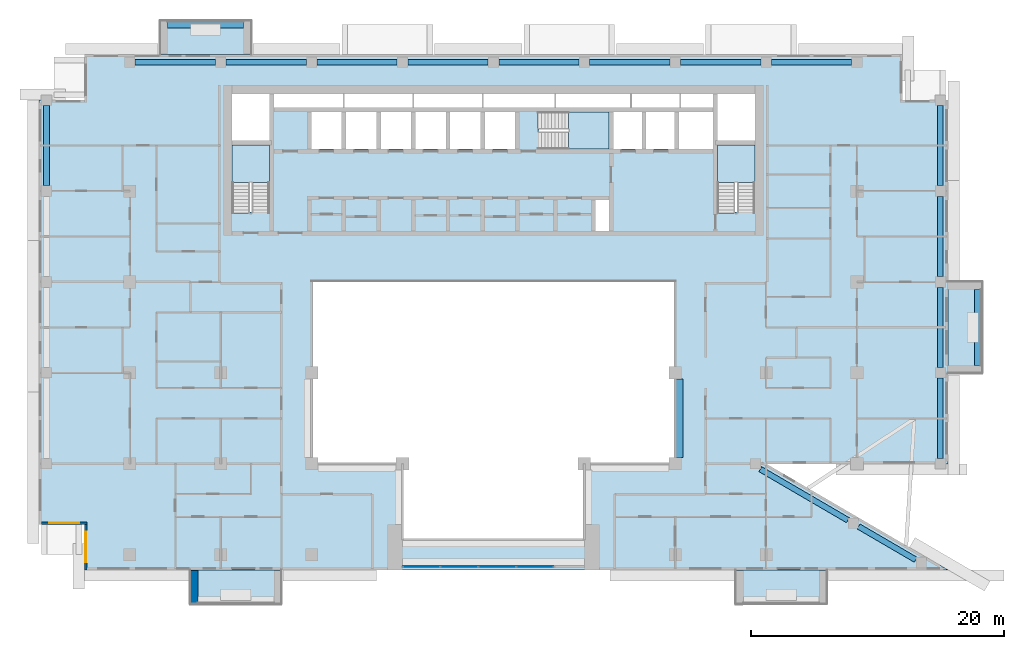
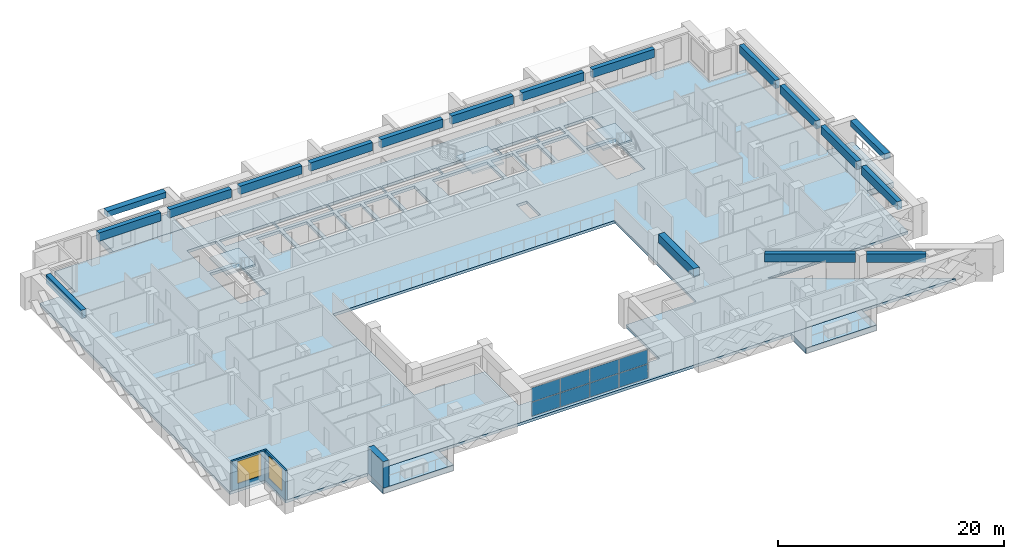
# One storey, part 5 of 20: 18 beams, 8 plates, 8 slabs, 3 walls, 2 windows, 2 openings, 4 elements without a shape of their own.
"""IFC4 building model written with IfcOpenShell, lengths in metres."""

from ifc_helpers import new_model, si_unit, direction, frame, frame_2d, origin, origin_2d, place, context, subcontext, project, spatial, polyline, rectangle, outline, extrude, source, transform, mapped, material, layer, layer_set, material_profile, profile_set, type_object, element, fill, aggregate, save


model = new_model("IFC4")

# Units and contexts
model_context = context("Model", 3, precision=1e-05, world=origin(), true_north=direction((0.0, 1.0)))
body_context = subcontext(model_context, "Body", "Model", "MODEL_VIEW")
ifc_project = project(units=[si_unit("LENGTHUNIT", "METRE"), si_unit("AREAUNIT", "SQUARE_METRE"), si_unit("VOLUMEUNIT", "CUBIC_METRE"), si_unit("PLANEANGLEUNIT", "RADIAN"), si_unit("MASSUNIT", "GRAM", prefix="KILO")], contexts=[model_context])

# Site, building, storey
site_placement = place(None, origin())
site = spatial("IfcSite", under=ifc_project, at=site_placement, CompositionType="ELEMENT")
building_placement = place(site_placement, origin())
building = spatial("IfcBuilding", under=site, at=building_placement, Name="Saffron Iwan Residences", CompositionType="ELEMENT")
storey_placement = place(building_placement, frame((0.0, 0.0, 146.5)))
storey = spatial("IfcBuildingStorey", under=building, at=storey_placement, Name="L38", CompositionType="ELEMENT", Elevation=146.5)

# Beams
ifc_material_1 = material(Name="Concrete C50/60", Category="concrete")
ifc_material_profile_1 = material_profile(ifc_material_1, rectangle(XDim=0.449951171875, YDim=0.89990234375, at=origin_2d()), Name="RC 450x900")
ifc_profile_set_1 = profile_set([ifc_material_profile_1], Name="Concrete C50/60")
beam_type_1 = type_object("IfcBeamType", Name="SPANDREL BEAM RC 450x900 C50/60 TOP 3200", PredefinedType="SPANDREL", material=ifc_profile_set_1)
shared_shape_1 = source(origin(), body_context, "Body", "SweptSolid", [
    extrude(rectangle(XDim=0.449951171875, YDim=0.89990234375, at=origin_2d()), origin(), (0.0, 0.0, 1.0), 5.24267578125),
])
beam_1_placement = place(storey_placement, frame((79.32275390625, 43.03369140625, 2.75), z_axis=(0.863783967805, -0.503862339299, 0.0), x_axis=(0.503862339299, 0.863783967805, 0.0)))
element("IfcBeam", 1, at=beam_1_placement, inside=storey, type_object=beam_type_1, Name="Spandrel beam", PredefinedType="SPANDREL", context=body_context, shape_type="MappedRepresentation", body=[
    mapped(shared_shape_1, transform((0.0, 0.0, 0.0))),
])
shared_shape_2 = source(origin(), body_context, "Body", "SweptSolid", [
    extrude(rectangle(XDim=0.449951171875, YDim=0.89990234375, at=origin_2d()), origin(), (0.0, 0.0, 1.0), 8.028564453125),
])
beam_2_placement = place(storey_placement, frame((71.537841796875, 47.574951171875, 2.75), z_axis=(0.863773386225, -0.503880479132, 0.0), x_axis=(0.503880479132, 0.863773386225, 0.0)))
element("IfcBeam", 2, at=beam_2_placement, inside=storey, type_object=beam_type_1, Name="Spandrel beam", PredefinedType="SPANDREL", context=body_context, shape_type="MappedRepresentation", body=[
    mapped(shared_shape_2, transform((0.0, 0.0, 0.0))),
])
shared_shape_3 = source(origin(), body_context, "Body", "SweptSolid", [
    extrude(rectangle(XDim=0.449951171875, YDim=0.89990234375, at=origin_2d()), origin(), (0.0, 0.0, 1.0), 6.349853515625),
])
for number, where, z_axis, x_axis, name in (
    (3, (85.800048828125, 54.77490234375, 2.75), (0.0, -1.0, 0.0), (1.0, 0.0, 0.0), "Spandrel beam"),
    (4, (29.22509765625, 79.800048828125, 2.75), (1.0, 0.0, 0.0), (0.0, 1.0, 0.0), "Spandrel beam"),
    (5, (36.425048828125, 79.800048828125, 2.75), (1.0, 0.0, 0.0), (0.0, 1.0, 0.0), "Spandrel beam"),
    (6, (65.22509765625, 79.800048828125, 2.75), (1.0, 0.0, 0.0), (0.0, 1.0, 0.0), "Spandrel beam"),
    (7, (72.425048828125, 79.800048828125, 2.75), (1.0, 0.0, 0.0), (0.0, 1.0, 0.0), "Spandrel beam"),
):
    element("IfcBeam", number, at=place(storey_placement, frame(where, z_axis=z_axis, x_axis=x_axis)), inside=storey, type_object=beam_type_1, Name=name, PredefinedType="SPANDREL", context=body_context, shape_type="MappedRepresentation", body=[
        mapped(shared_shape_3, transform((0.0, 0.0, 0.0))),
    ])
shared_shape_4 = source(origin(), body_context, "Body", "SweptSolid", [
    extrude(rectangle(XDim=0.449951171875, YDim=0.89990234375, at=origin_2d()), origin(), (0.0, 0.0, 1.0), 6.35009765625),
])
for number, where, z_axis, x_axis, name in (
    (8, (85.800048828125, 61.97509765625, 2.75), (0.0, -1.0, 0.0), (1.0, 0.0, 0.0), "Spandrel beam"),
    (9, (85.800048828125, 69.175048828125, 2.75), (0.0, -1.0, 0.0), (1.0, 0.0, 0.0), "Spandrel beam"),
    (10, (15.0, 70.02490234375, 2.75), (0.0, 1.0, 0.0), (-1.0, 0.0, 0.0), "Spandrel beam"),
    (11, (85.800048828125, 76.375, 2.75), (0.0, -1.0, 0.0), (1.0, 0.0, 0.0), "Spandrel beam"),
    (12, (22.02490234375, 79.800048828125, 2.75), (1.0, 0.0, 0.0), (0.0, 1.0, 0.0), "Spandrel beam"),
    (13, (43.625, 79.800048828125, 2.75), (1.0, 0.0, 0.0), (0.0, 1.0, 0.0), "Spandrel beam"),
    (14, (50.824951171875, 79.800048828125, 2.75), (1.0, 0.0, 0.0), (0.0, 1.0, 0.0), "Spandrel beam"),
    (15, (58.02490234375, 79.800048828125, 2.75), (1.0, 0.0, 0.0), (0.0, 1.0, 0.0), "Spandrel beam"),
):
    element("IfcBeam", number, at=place(storey_placement, frame(where, z_axis=z_axis, x_axis=x_axis)), inside=storey, type_object=beam_type_1, Name=name, PredefinedType="SPANDREL", context=body_context, shape_type="MappedRepresentation", body=[
        mapped(shared_shape_4, transform((0.0, 0.0, 0.0))),
    ])
ifc_material_profile_2 = material_profile(ifc_material_1, rectangle(XDim=0.60009765625, YDim=0.89990234375, at=origin_2d()), Name="RC 600x900")
ifc_profile_set_2 = profile_set([ifc_material_profile_2], Name="Concrete C50/60")
beam_type_2 = type_object("IfcBeamType", Name="BEAM RC 600x900 C50/60 TOP 3200", PredefinedType="BEAM", material=ifc_profile_set_2)
shared_shape_5 = source(origin(), body_context, "Body", "SweptSolid", [
    extrude(rectangle(XDim=0.60009765625, YDim=0.89990234375, at=origin_2d()), origin(), (0.0, 0.0, 1.0), 6.199951171875),
])
beam_3_placement = place(storey_placement, frame((65.10009765625, 54.699951171875, 2.75), z_axis=(0.0, -1.0, 0.0), x_axis=(1.0, 0.0, 0.0)))
element("IfcBeam", 16, at=beam_3_placement, inside=storey, type_object=beam_type_2, Name="Atrium edge beam", PredefinedType="BEAM", context=body_context, shape_type="MappedRepresentation", body=[
    mapped(shared_shape_5, transform((0.0, 0.0, 0.0))),
])
ifc_material_2 = material(Name="Concrete C50/60 white painted", Category="concrete")
ifc_material_profile_3 = material_profile(ifc_material_2, rectangle(XDim=0.60009765625, YDim=0.60009765625, at=origin_2d()), Name="BALCONY FASCIA BEAM 600 x 600")
ifc_profile_set_3 = profile_set([ifc_material_profile_3], Name="Concrete C50/60 white painted")
beam_type_3 = type_object("IfcBeamType", Name="BALCONY FASCIA BEAM 600 x 600", PredefinedType="BEAM", material=ifc_profile_set_3)
shared_shape_6 = source(origin(), body_context, "Body", "SweptSolid", [
    extrude(rectangle(XDim=0.60009765625, YDim=0.60009765625, at=origin_2d()), origin(), (0.0, 0.0, 1.0), 6.0),
])
for number, where, z_axis, x_axis, name in (
    (17, (88.800048828125, 55.800048828125, 2.550048828125), (0.0, 1.0, 0.0), (-1.0, 0.0, 0.0), "Balcony fascia beam L38 F2-0"),
    (18, (30.60009765625, 82.800048828125, 2.550048828125), (-1.0, 0.0, 0.0), (0.0, -1.0, 0.0), "Balcony fascia beam L38 F5-3"),
):
    element("IfcBeam", number, at=place(storey_placement, frame(where, z_axis=z_axis, x_axis=x_axis)), inside=storey, type_object=beam_type_3, Name=name, PredefinedType="BEAM", context=body_context, shape_type="MappedRepresentation", body=[
        mapped(shared_shape_6, transform((0.0, 0.0, 0.0))),
    ])

# Slabs
ifc_layer_1 = layer(ifc_material_2, 0.60009765625)
ifc_layer_set_1 = layer_set([ifc_layer_1], Name="Concrete C50/60 white painted")
slab_type_1 = type_object("IfcSlabType", Name="BALCONY FRAME SLAB 600", PredefinedType="FLOOR", material=ifc_layer_set_1)
slab_1_placement = place(storey_placement, frame((0.0, 0.0, -0.60009765625)))
element("IfcSlab", 19, at=slab_1_placement, inside=storey, type_object=slab_type_1, Name="Balcony frame slab L38 F2-0", PredefinedType="FLOOR", context=body_context, shape_type="SweptSolid", body=[
    extrude(outline(polyline([(89.10009765625, 55.199951171875), (89.10009765625, 62.39990234375), (86.39990234375, 62.39990234375), (86.39990234375, 55.199951171875), (89.10009765625, 55.199951171875)])), origin(), (0.0, 0.0, 1.0), 0.60009765625),
])
slab_2_placement = place(storey_placement, frame((0.0, 0.0, -0.60009765625)))
element("IfcSlab", 20, at=slab_2_placement, inside=storey, type_object=slab_type_1, Name="Balcony frame slab L38 F5-3", PredefinedType="FLOOR", context=body_context, shape_type="SweptSolid", body=[
    extrude(outline(polyline([(31.199951171875, 83.10009765625), (24.0, 83.10009765625), (24.0, 80.39990234375), (31.199951171875, 80.39990234375), (31.199951171875, 83.10009765625)])), origin(), (0.0, 0.0, 1.0), 0.60009765625),
])
slab_3_placement = place(storey_placement, frame((0.0, 0.0, -0.60009765625)))
element("IfcSlab", 21, at=slab_3_placement, inside=storey, type_object=slab_type_1, Name="Balcony frame slab L38 11-0", PredefinedType="FLOOR", context=body_context, shape_type="SweptSolid", body=[
    extrude(outline(polyline([(26.39990234375, 36.89990234375), (33.60009765625, 36.89990234375), (33.60009765625, 39.60009765625), (26.39990234375, 39.60009765625), (26.39990234375, 36.89990234375)])), origin(), (0.0, 0.0, 1.0), 0.60009765625),
])
slab_4_placement = place(storey_placement, frame((0.0, 0.0, -0.60009765625)))
element("IfcSlab", 22, at=slab_4_placement, inside=storey, type_object=slab_type_1, Name="Balcony frame slab L38 11-1", PredefinedType="FLOOR", context=body_context, shape_type="SweptSolid", body=[
    extrude(outline(polyline([(69.60009765625, 36.89990234375), (76.800048828125, 36.89990234375), (76.800048828125, 39.60009765625), (69.60009765625, 39.60009765625), (69.60009765625, 36.89990234375)])), origin(), (0.0, 0.0, 1.0), 0.60009765625),
])
ifc_material_3 = material(Name="Concrete C40/50", Category="concrete")
ifc_layer_2 = layer(ifc_material_3, 0.300048828125)
ifc_layer_set_2 = layer_set([ifc_layer_2], Name="Concrete C40/50")
slab_type_2 = type_object("IfcSlabType", Name="PT PLATE 300 C40/50", PredefinedType="FLOOR", material=ifc_layer_set_2)
slab_5_placement = place(storey_placement, frame((0.0, 0.0, -0.300048828125)))
element("IfcSlab", 23, at=slab_5_placement, inside=storey, type_object=slab_type_2, Name="Floor slab L38", PredefinedType="FLOOR", context=body_context, shape_type="SweptSolid", body=[
    extrude(outline(polyline([(14.39990234375, 43.199951171875), (14.39990234375, 76.800048828125), (18.0, 76.800048828125), (18.0, 80.39990234375), (82.800048828125, 80.39990234375), (82.800048828125, 76.800048828125), (86.39990234375, 76.800048828125), (86.39990234375, 48.0), (72.0, 48.0), (86.39990234375, 39.60009765625), (18.0, 39.60009765625), (18.0, 43.199951171875), (14.39990234375, 43.199951171875)]), holes=[polyline([(64.800048828125, 48.0), (64.800048828125, 62.39990234375), (36.0, 62.39990234375), (36.0, 48.0), (43.199951171875, 48.0), (43.199951171875, 42.0), (57.60009765625, 42.0), (57.60009765625, 48.0), (64.800048828125, 48.0)]), polyline([(29.699951171875, 73.25), (29.699951171875, 67.949951171875), (29.699951171875, 67.8505859375), (31.10009765625, 67.8505859375), (31.10009765625, 67.949951171875), (32.64990234375, 67.949951171875), (32.64990234375, 73.25), (29.699951171875, 73.25)]), polyline([(38.375, 75.875), (35.97509765625, 75.875), (35.97509765625, 72.925048828125), (38.375, 72.925048828125), (38.375, 75.875)]), polyline([(41.125, 75.875), (38.72509765625, 75.875), (38.72509765625, 72.925048828125), (41.125, 72.925048828125), (41.125, 75.875)]), polyline([(43.875, 72.925048828125), (43.875, 75.875), (41.47509765625, 75.875), (41.47509765625, 72.925048828125), (43.875, 72.925048828125)]), polyline([(46.625, 72.925048828125), (46.625, 75.875), (44.22509765625, 75.875), (44.22509765625, 72.925048828125), (46.625, 72.925048828125)]), polyline([(49.375, 75.875), (46.97509765625, 75.875), (46.97509765625, 72.925048828125), (49.375, 72.925048828125), (49.375, 75.875)]), polyline([(52.125, 72.925048828125), (52.125, 75.875), (49.72509765625, 75.875), (49.72509765625, 72.925048828125), (52.125, 72.925048828125)]), polyline([(32.64990234375, 73.60009765625), (32.64990234375, 77.300048828125), (29.699951171875, 77.300048828125), (29.699951171875, 73.60009765625), (32.64990234375, 73.60009765625)]), polyline([(38.5, 77.300048828125), (33.0, 77.300048828125), (33.0, 76.22509765625), (38.5, 76.22509765625), (38.5, 77.300048828125)]), polyline([(44.0, 76.22509765625), (44.0, 77.300048828125), (38.60009765625, 77.300048828125), (38.60009765625, 76.22509765625), (44.0, 76.22509765625)]), polyline([(49.5, 76.22509765625), (49.5, 77.300048828125), (44.10009765625, 77.300048828125), (44.10009765625, 76.22509765625), (49.5, 76.22509765625)]), polyline([(59.550048828125, 68.875), (58.47509765625, 68.875), (58.47509765625, 66.449951171875), (59.550048828125, 66.449951171875), (59.550048828125, 68.875)]), polyline([(68.14990234375, 73.25), (68.14990234375, 67.949951171875), (68.14990234375, 67.8505859375), (69.550048828125, 67.8505859375), (69.550048828125, 67.949951171875), (71.10009765625, 67.949951171875), (71.10009765625, 73.25), (68.14990234375, 73.25)]), polyline([(54.02490234375, 74.47509765625), (54.02490234375, 72.925048828125), (59.550048828125, 72.925048828125), (59.550048828125, 75.875), (54.02490234375, 75.875), (53.925537109375, 75.875), (53.925537109375, 74.47509765625), (54.02490234375, 74.47509765625)]), polyline([(62.14990234375, 72.925048828125), (62.14990234375, 75.875), (59.89990234375, 75.875), (59.89990234375, 72.925048828125), (62.14990234375, 72.925048828125)]), polyline([(64.75, 72.925048828125), (64.75, 75.875), (62.5, 75.875), (62.5, 72.925048828125), (64.75, 72.925048828125)]), polyline([(67.800048828125, 75.875), (65.10009765625, 75.875), (65.10009765625, 72.925048828125), (67.800048828125, 72.925048828125), (67.800048828125, 75.875)]), polyline([(71.10009765625, 73.60009765625), (71.10009765625, 77.300048828125), (68.14990234375, 77.300048828125), (68.14990234375, 73.60009765625), (71.10009765625, 73.60009765625)]), polyline([(55.25, 76.22509765625), (55.25, 77.300048828125), (49.60009765625, 77.300048828125), (49.60009765625, 76.22509765625), (55.25, 76.22509765625)]), polyline([(61.25, 77.300048828125), (55.35009765625, 77.300048828125), (55.35009765625, 76.22509765625), (61.25, 76.22509765625), (61.25, 77.300048828125)]), polyline([(65.14990234375, 76.22509765625), (65.14990234375, 77.300048828125), (61.35009765625, 77.300048828125), (61.35009765625, 76.22509765625), (65.14990234375, 76.22509765625)]), polyline([(67.800048828125, 76.22509765625), (67.800048828125, 77.300048828125), (65.25, 77.300048828125), (65.25, 76.22509765625), (67.800048828125, 76.22509765625)])]), origin(), (0.0, 0.0, 1.0), 0.300048828125),
])

# Stair, slab
stair_type = type_object("IfcStairType", Name="Stair ST-CORE", PredefinedType="HALF_TURN_STAIR", material=ifc_material_1)
stair_1_placement = place(storey_placement, origin())
stair_1 = element("IfcStair", 24, at=stair_1_placement, inside=storey, type_object=stair_type, Name="L38 Exit Stair ST-W", PredefinedType="HALF_TURN_STAIR")
ifc_layer_3 = layer(ifc_material_1, 0.199951171875)
ifc_layer_set_3 = layer_set([ifc_layer_3], Name="Concrete C50/60")
slab_type_3 = type_object("IfcSlabType", Name="Stair landing SL-RC", PredefinedType="LANDING", material=ifc_layer_set_3)
slab_6_placement = place(storey_placement, frame((0.0, 0.0, 1.5498046875)))
slab_6 = element("IfcSlab", 25, at=slab_6_placement, type_object=slab_type_3, Name="ST-W landing 1", PredefinedType="LANDING", context=body_context, shape_type="SweptSolid", body=[
    extrude(outline(polyline([(32.64990234375, 70.280029296875), (32.64990234375, 73.25), (29.699951171875, 73.25), (29.699951171875, 70.280029296875), (32.64990234375, 70.280029296875)])), origin(), (0.0, 0.0, 1.0), 0.2001953125),
])
aggregate(stair_1, [slab_6])

stair_2_placement = place(storey_placement, origin())
stair_2 = element("IfcStair", 26, at=stair_2_placement, inside=storey, type_object=stair_type, Name="L38 Exit Stair ST-C", PredefinedType="HALF_TURN_STAIR")
slab_7_placement = place(storey_placement, frame((0.0, 0.0, 1.5498046875)))
slab_7 = element("IfcSlab", 27, at=slab_7_placement, type_object=slab_type_3, Name="ST-C landing 1", PredefinedType="LANDING", context=body_context, shape_type="SweptSolid", body=[
    extrude(outline(polyline([(56.35498046875, 72.925048828125), (59.550048828125, 72.925048828125), (59.550048828125, 75.875), (56.35498046875, 75.875), (56.35498046875, 72.925048828125)])), origin(), (0.0, 0.0, 1.0), 0.2001953125),
])
aggregate(stair_2, [slab_7])

stair_3_placement = place(storey_placement, origin())
stair_3 = element("IfcStair", 28, at=stair_3_placement, inside=storey, type_object=stair_type, Name="L38 Exit Stair ST-E", PredefinedType="HALF_TURN_STAIR")
slab_8_placement = place(storey_placement, frame((0.0, 0.0, 1.5498046875)))
slab_8 = element("IfcSlab", 29, at=slab_8_placement, type_object=slab_type_3, Name="ST-E landing 1", PredefinedType="LANDING", context=body_context, shape_type="SweptSolid", body=[
    extrude(outline(polyline([(71.10009765625, 70.280029296875), (71.10009765625, 73.25), (68.14990234375, 73.25), (68.14990234375, 70.280029296875), (71.10009765625, 70.280029296875)])), origin(), (0.0, 0.0, 1.0), 0.2001953125),
])
aggregate(stair_3, [slab_8])

# Curtain wall, plates
ifc_material_4 = material(Name="Clear glass, laminated double glazed", Category="glass")
ifc_layer_4 = layer(ifc_material_4, 0.199951171875)
ifc_layer_set_4 = layer_set([ifc_layer_4], Name="Clear glass, laminated double glazed")
curtain_wall_type = type_object("IfcCurtainWallType", Name="CW-B IWAN PORTAL", PredefinedType="NOTDEFINED", material=ifc_layer_set_4)
curtain_wall_placement = place(storey_placement, origin())
curtain_wall = element("IfcCurtainWall", 30, at=curtain_wall_placement, inside=storey, type_object=curtain_wall_type, Name="Iwan portal glazing L38.1", PredefinedType="NOTDEFINED")
ifc_layer_5 = layer(ifc_material_4, 0.028076171875)
ifc_layer_set_5 = layer_set([ifc_layer_5], Name="Clear glass, laminated double glazed")
plate_type = type_object("IfcPlateType", Name="CW-B PANEL 28", PredefinedType="CURTAIN_PANEL", material=ifc_layer_set_5)
shared_shape_7 = source(origin(), body_context, "Body", "SweptSolid", [
    extrude(rectangle(XDim=2.909912109375, YDim=0.028076171875, at=origin_2d()), origin(), (0.0, 0.0, 1.0), 1.510009765625),
])
plate_1_placement = place(storey_placement, frame((44.715087890625, 39.85009765625, 0.06005859375), z_axis=(0.0, 0.0, 1.0), x_axis=(1.0, 0.0, 0.0)))
plate_1 = element("IfcPlate", 31, at=plate_1_placement, type_object=plate_type, Name="CW-B panel 1.1", PredefinedType="CURTAIN_PANEL", context=body_context, shape_type="MappedRepresentation", body=[
    mapped(shared_shape_7, transform((0.0, 0.0, 0.0))),
])
plate_2_placement = place(storey_placement, frame((44.715087890625, 39.85009765625, 1.6298828125), z_axis=(0.0, 0.0, 1.0), x_axis=(1.0, 0.0, 0.0)))
plate_2 = element("IfcPlate", 32, at=plate_2_placement, type_object=plate_type, Name="CW-B panel 1.2", PredefinedType="CURTAIN_PANEL", context=body_context, shape_type="MappedRepresentation", body=[
    mapped(shared_shape_7, transform((0.0, 0.0, 0.0))),
])
plate_3_placement = place(storey_placement, frame((53.68505859375, 39.85009765625, 0.06005859375), z_axis=(0.0, 0.0, 1.0), x_axis=(1.0, 0.0, 0.0)))
plate_3 = element("IfcPlate", 33, at=plate_3_placement, type_object=plate_type, Name="CW-B panel 4.1", PredefinedType="CURTAIN_PANEL", context=body_context, shape_type="MappedRepresentation", body=[
    mapped(shared_shape_7, transform((0.0, 0.0, 0.0))),
])
plate_4_placement = place(storey_placement, frame((53.68505859375, 39.85009765625, 1.6298828125), z_axis=(0.0, 0.0, 1.0), x_axis=(1.0, 0.0, 0.0)))
plate_4 = element("IfcPlate", 34, at=plate_4_placement, type_object=plate_type, Name="CW-B panel 4.2", PredefinedType="CURTAIN_PANEL", context=body_context, shape_type="MappedRepresentation", body=[
    mapped(shared_shape_7, transform((0.0, 0.0, 0.0))),
])
shared_shape_8 = source(origin(), body_context, "Body", "SweptSolid", [
    extrude(rectangle(XDim=2.93994140625, YDim=0.028076171875, at=origin_2d()), origin(), (0.0, 0.0, 1.0), 1.510009765625),
])
plate_5_placement = place(storey_placement, frame((47.699951171875, 39.85009765625, 0.06005859375), z_axis=(0.0, 0.0, 1.0), x_axis=(1.0, 0.0, 0.0)))
plate_5 = element("IfcPlate", 35, at=plate_5_placement, type_object=plate_type, Name="CW-B panel 2.1", PredefinedType="CURTAIN_PANEL", context=body_context, shape_type="MappedRepresentation", body=[
    mapped(shared_shape_8, transform((0.0, 0.0, 0.0))),
])
plate_6_placement = place(storey_placement, frame((47.699951171875, 39.85009765625, 1.6298828125), z_axis=(0.0, 0.0, 1.0), x_axis=(1.0, 0.0, 0.0)))
plate_6 = element("IfcPlate", 36, at=plate_6_placement, type_object=plate_type, Name="CW-B panel 2.2", PredefinedType="CURTAIN_PANEL", context=body_context, shape_type="MappedRepresentation", body=[
    mapped(shared_shape_8, transform((0.0, 0.0, 0.0))),
])
plate_7_placement = place(storey_placement, frame((50.699951171875, 39.85009765625, 0.06005859375), z_axis=(0.0, 0.0, 1.0), x_axis=(1.0, 0.0, 0.0)))
plate_7 = element("IfcPlate", 37, at=plate_7_placement, type_object=plate_type, Name="CW-B panel 3.1", PredefinedType="CURTAIN_PANEL", context=body_context, shape_type="MappedRepresentation", body=[
    mapped(shared_shape_8, transform((0.0, 0.0, 0.0))),
])
plate_8_placement = place(storey_placement, frame((50.699951171875, 39.85009765625, 1.6298828125), z_axis=(0.0, 0.0, 1.0), x_axis=(1.0, 0.0, 0.0)))
plate_8 = element("IfcPlate", 38, at=plate_8_placement, type_object=plate_type, Name="CW-B panel 3.2", PredefinedType="CURTAIN_PANEL", context=body_context, shape_type="MappedRepresentation", body=[
    mapped(shared_shape_8, transform((0.0, 0.0, 0.0))),
])
aggregate(curtain_wall, [plate_1, plate_2, plate_5, plate_6, plate_7, plate_8, plate_3, plate_4])

# Wall
ifc_layer_6 = layer(ifc_material_2, 0.60009765625)
ifc_layer_set_6 = layer_set([ifc_layer_6], Name="Concrete C50/60 white painted")
wall_type_1 = type_object("IfcWallType", Name="BALCONY FIN 600", PredefinedType="SOLIDWALL", material=ifc_layer_set_6)
wall_1_placement = place(storey_placement, frame((26.699951171875, 39.550048828125, 0.0), z_axis=(0.0, 0.0, 1.0), x_axis=(0.0, -1.0, 0.0)))
element("IfcWall", 39, at=wall_1_placement, inside=storey, type_object=wall_type_1, Name="Balcony fin L38 11-0a", PredefinedType="SOLIDWALL", context=body_context, shape_type="SweptSolid", body=[
    extrude(rectangle(XDim=2.650146484375, YDim=0.60009765625, at=frame_2d((1.3251953125, 0.0))), origin(), (0.0, 0.0, 1.0), 2.85009765625),
])

# Wall, opening, window
ifc_layer_7 = layer(ifc_material_3, 0.199951171875)
ifc_layer_set_7 = layer_set([ifc_layer_7], Name="Concrete C40/50")
wall_type_2 = type_object("IfcWallType", Name="EXTERNAL WALL 200", PredefinedType="SOLIDWALL", material=ifc_layer_set_7)
wall_2_placement = place(storey_placement, frame((14.60009765625, 43.300048828125, 0.0), z_axis=(0.0, 0.0, 1.0), x_axis=(1.0, 0.0, 0.0)))
wall_2 = element("IfcWall", 40, at=wall_2_placement, inside=storey, type_object=wall_type_2, Name="External wall L38 F9.0", PredefinedType="SOLIDWALL", context=body_context, shape_type="SweptSolid", body=[
    extrude(rectangle(XDim=3.599853515625, YDim=0.199951171875, at=frame_2d((1.7998046875, 0.0))), origin(), (0.0, 0.0, 1.0), 3.199951171875),
])
opening_1_placement = place(wall_2_placement, frame((0.60009765625, 0.0, 0.60009765625)))
opening_1 = element("IfcOpeningElement", 41, at=opening_1_placement, cuts=wall_2, Name="Opening W1", PredefinedType="OPENING", context=body_context, shape_type="SweptSolid", body=[
    extrude(rectangle(XDim=2.39990234375, YDim=2.39990234375, at=frame_2d((1.199951171875, 1.199951171875))), frame((0.0, 0.10986328125, 0.0), z_axis=(0.0, -1.0, 0.0), x_axis=(1.0, 0.0, 0.0)), (0.0, 0.0, 1.0), 0.219970703125),
])
window_type = type_object("IfcWindowType", Name="WINDOW 2400 x 2400", PartitioningType="DOUBLE_PANEL_VERTICAL", PredefinedType="WINDOW", material=ifc_material_4)
window_1_placement = place(opening_1_placement, origin())
window_1 = element("IfcWindow", 42, at=window_1_placement, inside=storey, type_object=window_type, Name="Window L38 F9.0", OverallHeight=2.39990234375, OverallWidth=2.39990234375, PartitioningType="DOUBLE_PANEL_VERTICAL", PredefinedType="WINDOW", context=body_context, shape_type="SweptSolid", body=[
    extrude(rectangle(XDim=2.39990234375, YDim=2.39990234375, at=frame_2d((1.199951171875, 1.199951171875))), frame((0.0, 0.030029296875, 0.0), z_axis=(0.0, -1.0, 0.0), x_axis=(1.0, 0.0, 0.0)), (0.0, 0.0, 1.0), 0.06005859375),
])
fill(opening_1, window_1)

wall_3_placement = place(storey_placement, frame((18.10009765625, 43.199951171875, 0.0), z_axis=(0.0, 0.0, 1.0), x_axis=(0.0, -1.0, 0.0)))
wall_3 = element("IfcWall", 43, at=wall_3_placement, inside=storey, type_object=wall_type_2, Name="External wall L38 F10.0", PredefinedType="SOLIDWALL", context=body_context, shape_type="SweptSolid", body=[
    extrude(rectangle(XDim=3.599853515625, YDim=0.199951171875, at=frame_2d((1.7998046875, 0.0))), origin(), (0.0, 0.0, 1.0), 3.199951171875),
])
opening_2_placement = place(wall_3_placement, frame((0.60009765625, 0.0, 0.60009765625)))
opening_2 = element("IfcOpeningElement", 44, at=opening_2_placement, cuts=wall_3, Name="Opening W1", PredefinedType="OPENING", context=body_context, shape_type="SweptSolid", body=[
    extrude(rectangle(XDim=2.39990234375, YDim=2.39990234375, at=frame_2d((1.199951171875, 1.199951171875))), frame((0.0, 0.10986328125, 0.0), z_axis=(0.0, -1.0, 0.0), x_axis=(1.0, 0.0, 0.0)), (0.0, 0.0, 1.0), 0.219970703125),
])
window_2_placement = place(opening_2_placement, origin())
window_2 = element("IfcWindow", 45, at=window_2_placement, inside=storey, type_object=window_type, Name="Window L38 F10.0", OverallHeight=2.39990234375, OverallWidth=2.39990234375, PartitioningType="DOUBLE_PANEL_VERTICAL", PredefinedType="WINDOW", context=body_context, shape_type="SweptSolid", body=[
    extrude(rectangle(XDim=2.39990234375, YDim=2.39990234375, at=frame_2d((1.199951171875, 1.199951171875))), frame((0.0, 0.030029296875, 0.0), z_axis=(0.0, -1.0, 0.0), x_axis=(1.0, 0.0, 0.0)), (0.0, 0.0, 1.0), 0.06005859375),
])
fill(opening_2, window_2)

save(model, "model.ifc")
